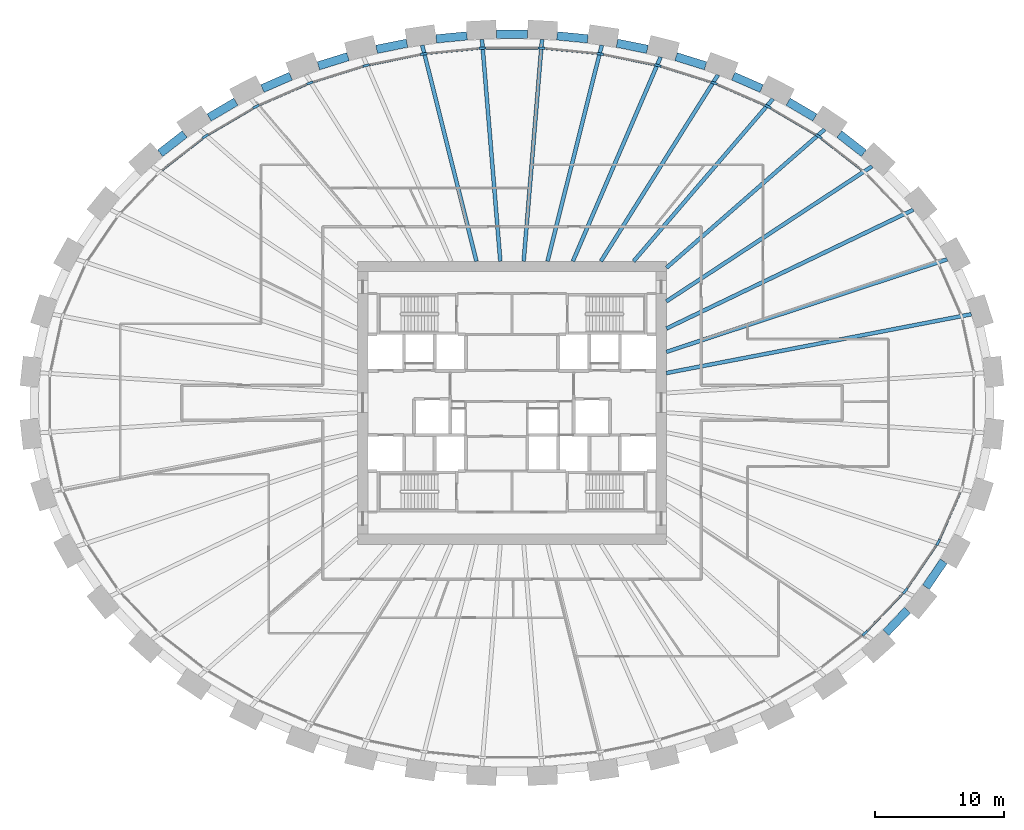
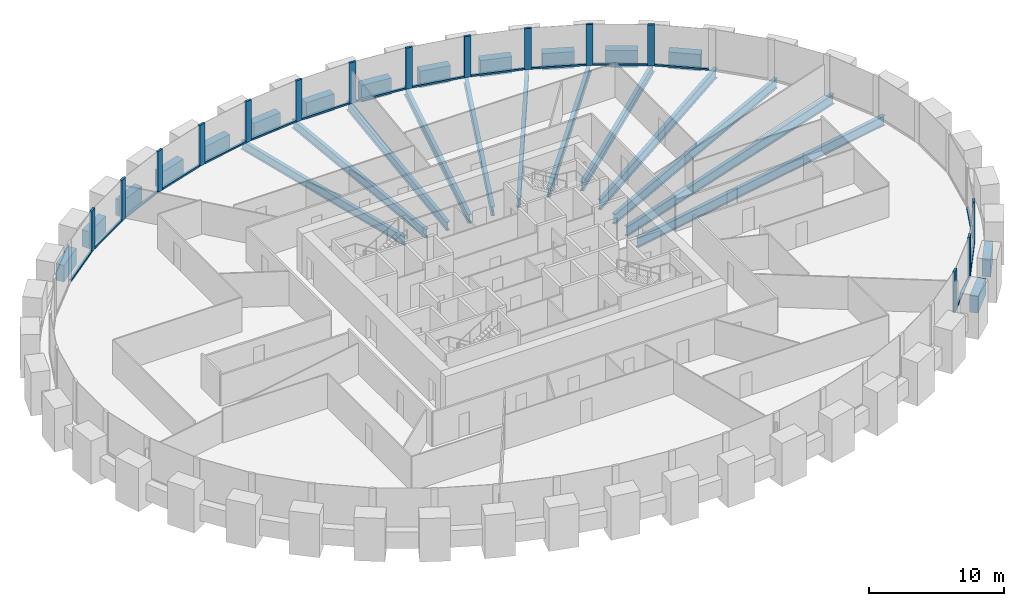
# One storey, part 3 of 10: 31 members, 27 beams, 1 element without a shape of its own.
"""IFC4 building model written with IfcOpenShell, lengths in metres."""

from ifc_helpers import new_model, si_unit, direction, frame, origin, origin_2d, place, context, subcontext, project, spatial, rectangle, i_section, extrude, source, transform, mapped, material, material_profile, profile_set, type_object, element, aggregate, save


model = new_model("IFC4")

# Units and contexts
model_context = context("Model", 3, precision=1e-05, world=origin(), true_north=direction((0.0, 1.0)))
body_context = subcontext(model_context, "Body", "Model", "MODEL_VIEW")
ifc_project = project(units=[si_unit("LENGTHUNIT", "METRE"), si_unit("AREAUNIT", "SQUARE_METRE"), si_unit("VOLUMEUNIT", "CUBIC_METRE"), si_unit("PLANEANGLEUNIT", "RADIAN"), si_unit("MASSUNIT", "GRAM", prefix="KILO")], contexts=[model_context])

# Site, building, storey
site_placement = place(None, origin())
site = spatial("IfcSite", under=ifc_project, at=site_placement, CompositionType="ELEMENT")
building_placement = place(site_placement, origin())
building = spatial("IfcBuilding", under=site, at=building_placement, Name="Embergate Tower", CompositionType="ELEMENT")
storey_placement = place(building_placement, frame((0.0, 0.0, 171.60009765625)))
storey = spatial("IfcBuildingStorey", under=building, at=storey_placement, Name="L38", CompositionType="ELEMENT", Elevation=171.60009765625)

# Beams
ifc_material_1 = material(Name="Concrete C70", Category="concrete")
ifc_material_profile_1 = material_profile(ifc_material_1, rectangle(XDim=0.64990234375, YDim=1.5, at=origin_2d()), Name="RC 650x1500")
ifc_profile_set_1 = profile_set([ifc_material_profile_1], Name="Concrete C70")
beam_type_1 = type_object("IfcBeamType", Name="Spandrel beam RC 650x1500 C70", PredefinedType="BEAM", material=ifc_profile_set_1)
shared_shape_1 = source(origin(), body_context, "Body", "SweptSolid", [
    extrude(rectangle(XDim=0.64990234375, YDim=1.5, at=origin_2d()), origin(), (0.0, 0.0, 1.0), 2.42724609375),
])
beam_1_placement = place(storey_placement, frame((32.175048828125, -14.322021484375, 0.0), z_axis=(0.562359541569, 0.826892826191, 0.0), x_axis=(-0.826892826191, 0.562359541569, 0.0)))
element("IfcBeam", 1, at=beam_1_placement, inside=storey, type_object=beam_type_1, Name="SPN-L38-40", PredefinedType="BEAM", context=body_context, shape_type="MappedRepresentation", body=[
    mapped(shared_shape_1, transform((0.0, 0.0, 0.0))),
])
shared_shape_2 = source(origin(), body_context, "Body", "SweptSolid", [
    extrude(rectangle(XDim=0.64990234375, YDim=1.5, at=origin_2d()), origin(), (0.0, 0.0, 1.0), 2.421630859375),
])
beam_2_placement = place(storey_placement, frame((29.05908203125, -17.864013671875, 0.0), z_axis=(0.68996725843, 0.723840577955, 0.0), x_axis=(-0.723840577955, 0.68996725843, 0.0)))
element("IfcBeam", 2, at=beam_2_placement, inside=storey, type_object=beam_type_1, Name="SPN-L38-39", PredefinedType="BEAM", context=body_context, shape_type="MappedRepresentation", body=[
    mapped(shared_shape_2, transform((0.0, 0.0, 0.0))),
])
shared_shape_3 = source(origin(), body_context, "Body", "SweptSolid", [
    extrude(rectangle(XDim=0.64990234375, YDim=1.5, at=origin_2d()), origin(), (0.0, 0.0, 1.0), 2.415283203125),
])
for number, where, z_axis, x_axis, name in (
    (3, (27.341064453125, 19.39306640625, 0.0), (-0.788366005977, 0.61520650242, 0.0), (-0.61520650242, -0.788366005977, 0.0), "SPN-L38-04"),
    (4, (-25.43701171875, 20.87890625, 0.0), (-0.788366005977, -0.61520650242, 0.0), (0.61520650242, -0.788366005977, 0.0), "SPN-L38-16"),
):
    element("IfcBeam", number, at=place(storey_placement, frame(where, z_axis=z_axis, x_axis=x_axis)), inside=storey, type_object=beam_type_1, Name=name, PredefinedType="BEAM", context=body_context, shape_type="MappedRepresentation", body=[
        mapped(shared_shape_3, transform((0.0, 0.0, 0.0))),
    ])
shared_shape_4 = source(origin(), body_context, "Body", "SweptSolid", [
    extrude(rectangle(XDim=0.64990234375, YDim=1.5, at=origin_2d()), origin(), (0.0, 0.0, 1.0), 2.41015625),
])
for number, where, z_axis, x_axis, name in (
    (5, (23.534912109375, 22.172119140625, 0.0), (-0.862176302717, 0.506608352707, 0.0), (-0.506608352707, -0.862176302717, 0.0), "SPN-L38-05"),
    (6, (-21.45703125, 23.39306640625, 0.0), (-0.862176302717, -0.506608352707, 0.0), (0.506608352707, -0.862176302717, 0.0), "SPN-L38-15"),
):
    element("IfcBeam", number, at=place(storey_placement, frame(where, z_axis=z_axis, x_axis=x_axis)), inside=storey, type_object=beam_type_1, Name=name, PredefinedType="BEAM", context=body_context, shape_type="MappedRepresentation", body=[
        mapped(shared_shape_4, transform((0.0, 0.0, 0.0))),
    ])
shared_shape_5 = source(origin(), body_context, "Body", "SweptSolid", [
    extrude(rectangle(XDim=0.64990234375, YDim=1.5, at=origin_2d()), origin(), (0.0, 0.0, 1.0), 2.405029296875),
])
for number, where, z_axis, x_axis, name in (
    (7, (19.39892578125, 24.4208984375, 0.0), (-0.916318010886, 0.400451373983, 0.0), (-0.400451373983, -0.916318010886, 0.0), "SPN-L38-06"),
    (8, (-17.195068359375, 25.384033203125, 0.0), (-0.916318010886, -0.400451373983, 0.0), (0.400451373983, -0.916318010886, 0.0), "SPN-L38-14"),
):
    element("IfcBeam", number, at=place(storey_placement, frame(where, z_axis=z_axis, x_axis=x_axis)), inside=storey, type_object=beam_type_1, Name=name, PredefinedType="BEAM", context=body_context, shape_type="MappedRepresentation", body=[
        mapped(shared_shape_5, transform((0.0, 0.0, 0.0))),
    ])
shared_shape_6 = source(origin(), body_context, "Body", "SweptSolid", [
    extrude(rectangle(XDim=0.64990234375, YDim=1.5, at=origin_2d()), origin(), (0.0, 0.0, 1.0), 2.40283203125),
])
for number, where, z_axis, x_axis, name in (
    (9, (15.0400390625, 26.18798828125, 0.0), (-0.954689462561, 0.297603813946, 0.0), (-0.297603813946, -0.954689462561, 0.0), "SPN-L38-07"),
    (10, (-12.74609375, 26.903076171875, 0.0), (-0.954689462561, -0.297603813946, 0.0), (0.297603813946, -0.954689462561, 0.0), "SPN-L38-13"),
):
    element("IfcBeam", number, at=place(storey_placement, frame(where, z_axis=z_axis, x_axis=x_axis)), inside=storey, type_object=beam_type_1, Name=name, PredefinedType="BEAM", context=body_context, shape_type="MappedRepresentation", body=[
        mapped(shared_shape_6, transform((0.0, 0.0, 0.0))),
    ])
shared_shape_7 = source(origin(), body_context, "Body", "SweptSolid", [
    extrude(rectangle(XDim=0.64990234375, YDim=1.5, at=origin_2d()), origin(), (0.0, 0.0, 1.0), 2.402099609375),
])
for number, where, z_axis, x_axis, name in (
    (11, (10.51708984375, 27.471923828125, 0.0), (-0.980408294351, 0.196976080702, 0.0), (-0.196976080702, -0.980408294351, 0.0), "SPN-L38-08"),
    (12, (-8.162109375, 27.945068359375, 0.0), (-0.980408294351, -0.196976080702, 0.0), (0.196976080702, -0.980408294351, 0.0), "SPN-L38-12"),
):
    element("IfcBeam", number, at=place(storey_placement, frame(where, z_axis=z_axis, x_axis=x_axis)), inside=storey, type_object=beam_type_1, Name=name, PredefinedType="BEAM", context=body_context, shape_type="MappedRepresentation", body=[
        mapped(shared_shape_7, transform((0.0, 0.0, 0.0))),
    ])
shared_shape_8 = source(origin(), body_context, "Body", "SweptSolid", [
    extrude(rectangle(XDim=0.64990234375, YDim=1.5, at=origin_2d()), origin(), (0.0, 0.0, 1.0), 2.4013671875),
])
for number, where, z_axis, x_axis, name in (
    (13, (5.886962890625, 28.283935546875, 0.0), (-0.995235491499, 0.097500340826, 0.0), (-0.097500340826, -0.995235491499, 0.0), "SPN-L38-09"),
    (14, (-3.4970703125, 28.51806640625, 0.0), (-0.995235491499, -0.097500340826, 0.0), (0.097500340826, -0.995235491499, 0.0), "SPN-L38-11"),
):
    element("IfcBeam", number, at=place(storey_placement, frame(where, z_axis=z_axis, x_axis=x_axis)), inside=storey, type_object=beam_type_1, Name=name, PredefinedType="BEAM", context=body_context, shape_type="MappedRepresentation", body=[
        mapped(shared_shape_8, transform((0.0, 0.0, 0.0))),
    ])
shared_shape_9 = source(origin(), body_context, "Body", "SweptSolid", [
    extrude(rectangle(XDim=0.64990234375, YDim=1.5, at=origin_2d()), origin(), (0.0, 0.0, 1.0), 2.39990234375),
])
beam_3_placement = place(storey_placement, frame((1.199951171875, 28.631103515625, 0.0), z_axis=(-1.0, 0.0, 0.0), x_axis=(0.0, -1.0, 0.0)))
element("IfcBeam", 15, at=beam_3_placement, inside=storey, type_object=beam_type_1, Name="SPN-L38-10", PredefinedType="BEAM", context=body_context, shape_type="MappedRepresentation", body=[
    mapped(shared_shape_9, transform((0.0, 0.0, 0.0))),
])
ifc_material_2 = material(Name="Steel Q355B", Category="steel")
ifc_material_profile_2 = material_profile(ifc_material_2, i_section(OverallWidth=0.300048828125, OverallDepth=0.89990234375, WebThickness=0.01611328125, FlangeThickness=0.028076171875, FilletRadius=0.028076171875, at=origin_2d()), Name="HN 900x300x16x28")
ifc_profile_set_2 = profile_set([ifc_material_profile_2], Name="Steel Q355 grade B")
beam_type_2 = type_object("IfcBeamType", Name="Radial girder HN 900x300x16x28", PredefinedType="BEAM", material=ifc_profile_set_2)
shared_shape_10 = source(origin(), body_context, "Body", "SweptSolid", [
    extrude(i_section(OverallWidth=0.300048828125, OverallDepth=0.89990234375, WebThickness=0.01611328125, FlangeThickness=0.028076171875, FilletRadius=0.028076171875, at=origin_2d()), origin(), (0.0, 0.0, 1.0), 24.12548828125),
])
beam_4_placement = place(storey_placement, frame((35.68896484375, 6.884033203125, -0.650146484375), z_axis=(-0.981902359672, -0.189387845628, 0.0), x_axis=(0.189387845628, -0.981902359672, 0.0)))
element("IfcBeam", 16, at=beam_4_placement, inside=storey, type_object=beam_type_2, Name="GIR-L38-01", PredefinedType="BEAM", context=body_context, shape_type="MappedRepresentation", body=[
    mapped(shared_shape_10, transform((0.0, 0.0, 0.0))),
])
shared_shape_11 = source(origin(), body_context, "Body", "SweptSolid", [
    extrude(i_section(OverallWidth=0.300048828125, OverallDepth=0.89990234375, WebThickness=0.01611328125, FlangeThickness=0.028076171875, FilletRadius=0.028076171875, at=origin_2d()), origin(), (0.0, 0.0, 1.0), 22.97265625),
])
beam_5_placement = place(storey_placement, frame((33.81689453125, 11.152099609375, -0.650146484375), z_axis=(-0.949687014879, -0.313200532838, 0.0), x_axis=(0.313200532838, -0.949687014879, 0.0)))
element("IfcBeam", 17, at=beam_5_placement, inside=storey, type_object=beam_type_2, Name="GIR-L38-02", PredefinedType="BEAM", context=body_context, shape_type="MappedRepresentation", body=[
    mapped(shared_shape_11, transform((0.0, 0.0, 0.0))),
])
shared_shape_12 = source(origin(), body_context, "Body", "SweptSolid", [
    extrude(i_section(OverallWidth=0.300048828125, OverallDepth=0.89990234375, WebThickness=0.01611328125, FlangeThickness=0.028076171875, FilletRadius=0.028076171875, at=origin_2d()), origin(), (0.0, 0.0, 1.0), 21.301025390625),
])
beam_6_placement = place(storey_placement, frame((31.195068359375, 15.008056640625, -0.650146484375), z_axis=(-0.901129390798, -0.433550252035, 0.0), x_axis=(0.433550252035, -0.901129390798, 0.0)))
element("IfcBeam", 18, at=beam_6_placement, inside=storey, type_object=beam_type_2, Name="GIR-L38-03", PredefinedType="BEAM", context=body_context, shape_type="MappedRepresentation", body=[
    mapped(shared_shape_12, transform((0.0, 0.0, 0.0))),
])
shared_shape_13 = source(origin(), body_context, "Body", "SweptSolid", [
    extrude(i_section(OverallWidth=0.300048828125, OverallDepth=0.89990234375, WebThickness=0.01611328125, FlangeThickness=0.028076171875, FilletRadius=0.028076171875, at=origin_2d()), origin(), (0.0, 0.0, 1.0), 19.1181640625),
])
beam_7_placement = place(storey_placement, frame((27.97802734375, 18.382080078125, -0.650146484375), z_axis=(-0.835748679781, -0.549112141775, 0.0), x_axis=(0.549112141775, -0.835748679781, 0.0)))
element("IfcBeam", 19, at=beam_7_placement, inside=storey, type_object=beam_type_2, Name="GIR-L38-04", PredefinedType="BEAM", context=body_context, shape_type="MappedRepresentation", body=[
    mapped(shared_shape_13, transform((0.0, 0.0, 0.0))),
])
ifc_material_profile_3 = material_profile(ifc_material_2, i_section(OverallWidth=0.300048828125, OverallDepth=0.800048828125, WebThickness=0.013916015625, FlangeThickness=0.02587890625, FilletRadius=0.028076171875, at=origin_2d()), Name="HN 800x300x14x26")
ifc_profile_set_3 = profile_set([ifc_material_profile_3], Name="Steel Q355 grade B")
beam_type_3 = type_object("IfcBeamType", Name="Radial girder HN 800x300x14x26", PredefinedType="BEAM", material=ifc_profile_set_3)
shared_shape_14 = source(origin(), body_context, "Body", "SweptSolid", [
    extrude(i_section(OverallWidth=0.300048828125, OverallDepth=0.800048828125, WebThickness=0.013916015625, FlangeThickness=0.02587890625, FilletRadius=0.028076171875, at=origin_2d()), origin(), (0.0, 0.0, 1.0), 16.341796875),
])
beam_8_placement = place(storey_placement, frame((24.301025390625, 21.251953125, -0.60009765625), z_axis=(-0.752738629267, -0.65831949387, 0.0), x_axis=(0.65831949387, -0.752738629267, 0.0)))
element("IfcBeam", 20, at=beam_8_placement, inside=storey, type_object=beam_type_3, Name="GIR-L38-05", PredefinedType="BEAM", context=body_context, shape_type="MappedRepresentation", body=[
    mapped(shared_shape_14, transform((0.0, 0.0, 0.0))),
])
shared_shape_15 = source(origin(), body_context, "Body", "SweptSolid", [
    extrude(i_section(OverallWidth=0.300048828125, OverallDepth=0.800048828125, WebThickness=0.013916015625, FlangeThickness=0.02587890625, FilletRadius=0.028076171875, at=origin_2d()), origin(), (0.0, 0.0, 1.0), 16.62939453125),
])
beam_9_placement = place(storey_placement, frame((20.280029296875, 23.615966796875, -0.60009765625), z_axis=(-0.651494757219, -0.758653136364, 0.0), x_axis=(0.758653136364, -0.651494757219, 0.0)))
element("IfcBeam", 21, at=beam_9_placement, inside=storey, type_object=beam_type_3, Name="GIR-L38-06", PredefinedType="BEAM", context=body_context, shape_type="MappedRepresentation", body=[
    mapped(shared_shape_15, transform((0.0, 0.0, 0.0))),
])
shared_shape_16 = source(origin(), body_context, "Body", "SweptSolid", [
    extrude(i_section(OverallWidth=0.300048828125, OverallDepth=0.800048828125, WebThickness=0.013916015625, FlangeThickness=0.02587890625, FilletRadius=0.028076171875, at=origin_2d()), origin(), (0.0, 0.0, 1.0), 17.103271484375),
])
beam_10_placement = place(storey_placement, frame((16.0048828125, 25.48388671875, -0.60009765625), z_axis=(-0.531827416629, -0.846852761064, 0.0), x_axis=(0.846852761064, -0.531827416629, 0.0)))
element("IfcBeam", 22, at=beam_10_placement, inside=storey, type_object=beam_type_3, Name="GIR-L38-07", PredefinedType="BEAM", context=body_context, shape_type="MappedRepresentation", body=[
    mapped(shared_shape_16, transform((0.0, 0.0, 0.0))),
])
shared_shape_17 = source(origin(), body_context, "Body", "SweptSolid", [
    extrude(i_section(OverallWidth=0.300048828125, OverallDepth=0.800048828125, WebThickness=0.013916015625, FlangeThickness=0.02587890625, FilletRadius=0.028076171875, at=origin_2d()), origin(), (0.0, 0.0, 1.0), 17.2763671875),
])
beam_11_placement = place(storey_placement, frame((11.551025390625, 26.8720703125, -0.60009765625), z_axis=(-0.394930430289, -0.918711029232, 0.0), x_axis=(0.918711029232, -0.394930430289, 0.0)))
element("IfcBeam", 23, at=beam_11_placement, inside=storey, type_object=beam_type_3, Name="GIR-L38-08", PredefinedType="BEAM", context=body_context, shape_type="MappedRepresentation", body=[
    mapped(shared_shape_17, transform((0.0, 0.0, 0.0))),
])
shared_shape_18 = source(origin(), body_context, "Body", "SweptSolid", [
    extrude(i_section(OverallWidth=0.300048828125, OverallDepth=0.800048828125, WebThickness=0.013916015625, FlangeThickness=0.02587890625, FilletRadius=0.028076171875, at=origin_2d()), origin(), (0.0, 0.0, 1.0), 17.31103515625),
])
for number, where, z_axis, x_axis, name in (
    (24, (6.97607421875, 27.7900390625, -0.60009765625), (-0.243491204419, -0.969903105145, 0.0), (0.969903105145, -0.243491204419, 0.0), "GIR-L38-09"),
    (25, (-6.97607421875, 27.7900390625, -0.60009765625), (0.243491204419, -0.969903105145, 0.0), (0.969903105145, 0.243491204419, 0.0), "GIR-L38-12"),
):
    element("IfcBeam", number, at=place(storey_placement, frame(where, z_axis=z_axis, x_axis=x_axis)), inside=storey, type_object=beam_type_3, Name=name, PredefinedType="BEAM", context=body_context, shape_type="MappedRepresentation", body=[
        mapped(shared_shape_18, transform((0.0, 0.0, 0.0))),
    ])
shared_shape_19 = source(origin(), body_context, "Body", "SweptSolid", [
    extrude(i_section(OverallWidth=0.300048828125, OverallDepth=0.800048828125, WebThickness=0.013916015625, FlangeThickness=0.02587890625, FilletRadius=0.028076171875, at=origin_2d()), origin(), (0.0, 0.0, 1.0), 17.304931640625),
])
for number, where, z_axis, x_axis, name in (
    (26, (2.3330078125, 28.24609375, -0.60009765625), (-0.082349584625, -0.996603504866, 0.0), (0.996603504866, -0.082349584625, 0.0), "GIR-L38-10"),
    (27, (-2.3330078125, 28.24609375, -0.60009765625), (0.082349584625, -0.996603504866, 0.0), (0.996603504866, 0.082349584625, 0.0), "GIR-L38-11"),
):
    element("IfcBeam", number, at=place(storey_placement, frame(where, z_axis=z_axis, x_axis=x_axis)), inside=storey, type_object=beam_type_3, Name=name, PredefinedType="BEAM", context=body_context, shape_type="MappedRepresentation", body=[
        mapped(shared_shape_19, transform((0.0, 0.0, 0.0))),
    ])

# Curtain wall, members
ifc_material_3 = material(Name="Aluminium and glass", Category="aluminium")
curtain_wall_type = type_object("IfcCurtainWallType", Name="Recessed office glazing", PredefinedType="NOTDEFINED", material=ifc_material_3)
curtain_wall_placement = place(storey_placement, origin())
curtain_wall = element("IfcCurtainWall", 28, at=curtain_wall_placement, inside=storey, type_object=curtain_wall_type, Name="Recessed office glazing ring", ObjectType="RECESSED OFFICE GLAZING", PredefinedType="USERDEFINED")
ifc_material_4 = material(Name="Aluminium, thermally broken", Category="aluminium")
ifc_material_profile_4 = material_profile(ifc_material_4, rectangle(XDim=0.179931640625, YDim=0.52001953125, at=origin_2d()), Name="AL 520x180")
ifc_profile_set_4 = profile_set([ifc_material_profile_4], Name="Aluminium, thermally broken")
member_type_1 = type_object("IfcMemberType", Name="Office mullion", PredefinedType="MULLION", material=ifc_profile_set_4)
shared_shape_20 = source(origin(), body_context, "Body", "SweptSolid", [
    extrude(rectangle(XDim=0.179931640625, YDim=0.52001953125, at=origin_2d()), origin(), (0.0, 0.0, 1.0), 3.699951171875),
])
member_1_placement = place(storey_placement, frame((23.82958984375, 20.70703125, 0.0), z_axis=(0.0, 0.0, 1.0), x_axis=(-0.562210401679, -0.82699423471, 0.0)))
member_1 = element("IfcMember", 29, at=member_1_placement, type_object=member_type_1, Name="CW mullion 6", PredefinedType="MULLION", context=body_context, shape_type="MappedRepresentation", body=[
    mapped(shared_shape_20, transform((0.0, 0.0, 0.0))),
])
member_2_placement = place(storey_placement, frame((19.89208984375, 23.02197265625, 0.0), z_axis=(0.0, 0.0, 1.0), x_axis=(-0.45450516197, -0.8907441034, 0.0)))
member_2 = element("IfcMember", 30, at=member_2_placement, type_object=member_type_1, Name="CW mullion 7", PredefinedType="MULLION", context=body_context, shape_type="MappedRepresentation", body=[
    mapped(shared_shape_20, transform((0.0, 0.0, 0.0))),
])
member_3_placement = place(storey_placement, frame((15.702880859375, 24.853759765625, 0.0), z_axis=(0.0, 0.0, 1.0), x_axis=(-0.349497777064, -0.936937193107, 0.0)))
member_3 = element("IfcMember", 31, at=member_3_placement, type_object=member_type_1, Name="CW mullion 8", PredefinedType="MULLION", context=body_context, shape_type="MappedRepresentation", body=[
    mapped(shared_shape_20, transform((0.0, 0.0, 0.0))),
])
member_4_placement = place(storey_placement, frame((11.334716796875, 26.214111328125, 0.0), z_axis=(0.0, 0.0, 1.0), x_axis=(-0.247308499144, -0.96893679167, 0.0)))
member_4 = element("IfcMember", 32, at=member_4_placement, type_object=member_type_1, Name="CW mullion 9", PredefinedType="MULLION", context=body_context, shape_type="MappedRepresentation", body=[
    mapped(shared_shape_20, transform((0.0, 0.0, 0.0))),
])
member_5_placement = place(storey_placement, frame((6.846435546875, 27.1142578125, 0.0), z_axis=(0.0, 0.0, 1.0), x_axis=(-0.147408930294, -0.989075632735, 0.0)))
member_5 = element("IfcMember", 33, at=member_5_placement, type_object=member_type_1, Name="CW mullion 10", PredefinedType="MULLION", context=body_context, shape_type="MappedRepresentation", body=[
    mapped(shared_shape_20, transform((0.0, 0.0, 0.0))),
])
member_6_placement = place(storey_placement, frame((2.28955078125, 27.56201171875, 0.0), z_axis=(0.0, 0.0, 1.0), x_axis=(-0.048970053385, -0.998800247232, 0.0)))
member_6 = element("IfcMember", 34, at=member_6_placement, type_object=member_type_1, Name="CW mullion 11", PredefinedType="MULLION", context=body_context, shape_type="MappedRepresentation", body=[
    mapped(shared_shape_20, transform((0.0, 0.0, 0.0))),
])
member_7_placement = place(storey_placement, frame((-2.28955078125, 27.56201171875, 0.0), z_axis=(0.0, 0.0, 1.0), x_axis=(0.048970053385, -0.998800247232, 0.0)))
member_7 = element("IfcMember", 35, at=member_7_placement, type_object=member_type_1, Name="CW mullion 12", PredefinedType="MULLION", context=body_context, shape_type="MappedRepresentation", body=[
    mapped(shared_shape_20, transform((0.0, 0.0, 0.0))),
])
member_8_placement = place(storey_placement, frame((-6.846435546875, 27.1142578125, 0.0), z_axis=(0.0, 0.0, 1.0), x_axis=(0.147408930294, -0.989075632735, 0.0)))
member_8 = element("IfcMember", 36, at=member_8_placement, type_object=member_type_1, Name="CW mullion 13", PredefinedType="MULLION", context=body_context, shape_type="MappedRepresentation", body=[
    mapped(shared_shape_20, transform((0.0, 0.0, 0.0))),
])
member_9_placement = place(storey_placement, frame((-11.334716796875, 26.214111328125, 0.0), z_axis=(0.0, 0.0, 1.0), x_axis=(0.247308499144, -0.96893679167, 0.0)))
member_9 = element("IfcMember", 37, at=member_9_placement, type_object=member_type_1, Name="CW mullion 14", PredefinedType="MULLION", context=body_context, shape_type="MappedRepresentation", body=[
    mapped(shared_shape_20, transform((0.0, 0.0, 0.0))),
])
member_10_placement = place(storey_placement, frame((-15.702880859375, 24.853759765625, 0.0), z_axis=(0.0, 0.0, 1.0), x_axis=(0.349497777064, -0.936937193107, 0.0)))
member_10 = element("IfcMember", 38, at=member_10_placement, type_object=member_type_1, Name="CW mullion 15", PredefinedType="MULLION", context=body_context, shape_type="MappedRepresentation", body=[
    mapped(shared_shape_20, transform((0.0, 0.0, 0.0))),
])
member_11_placement = place(storey_placement, frame((-19.89208984375, 23.02197265625, 0.0), z_axis=(0.0, 0.0, 1.0), x_axis=(0.45450516197, -0.8907441034, 0.0)))
member_11 = element("IfcMember", 39, at=member_11_placement, type_object=member_type_1, Name="CW mullion 16", PredefinedType="MULLION", context=body_context, shape_type="MappedRepresentation", body=[
    mapped(shared_shape_20, transform((0.0, 0.0, 0.0))),
])
member_12_placement = place(storey_placement, frame((-23.82958984375, 20.70703125, 0.0), z_axis=(0.0, 0.0, 1.0), x_axis=(0.562210401679, -0.82699423471, 0.0)))
member_12 = element("IfcMember", 40, at=member_12_placement, type_object=member_type_1, Name="CW mullion 17", PredefinedType="MULLION", context=body_context, shape_type="MappedRepresentation", body=[
    mapped(shared_shape_20, transform((0.0, 0.0, 0.0))),
])
member_13_placement = place(storey_placement, frame((27.425537109375, -17.900634765625, 0.0), z_axis=(0.0, 0.0, 1.0), x_axis=(-0.671221359023, 0.741256964346, 0.0)))
member_13 = element("IfcMember", 41, at=member_13_placement, type_object=member_type_1, Name="CW mullion 40", PredefinedType="MULLION", context=body_context, shape_type="MappedRepresentation", body=[
    mapped(shared_shape_20, transform((0.0, 0.0, 0.0))),
])
member_14_placement = place(storey_placement, frame((30.568359375, -14.60498046875, 0.0), z_axis=(0.0, 0.0, 1.0), x_axis=(-0.777867080309, 0.62842883875, 0.0)))
member_14 = element("IfcMember", 42, at=member_14_placement, type_object=member_type_1, Name="CW mullion 41", PredefinedType="MULLION", context=body_context, shape_type="MappedRepresentation", body=[
    mapped(shared_shape_20, transform((0.0, 0.0, 0.0))),
])
member_15_placement = place(storey_placement, frame((33.12451171875, -10.84619140625, 0.0), z_axis=(0.0, 0.0, 1.0), x_axis=(-0.874998516019, 0.484125600402, 0.0)))
member_15 = element("IfcMember", 43, at=member_15_placement, type_object=member_type_1, Name="CW mullion 42", PredefinedType="MULLION", context=body_context, shape_type="MappedRepresentation", body=[
    mapped(shared_shape_20, transform((0.0, 0.0, 0.0))),
])
ifc_material_profile_5 = material_profile(ifc_material_4, rectangle(XDim=0.179931640625, YDim=0.14990234375, at=origin_2d()), Name="AL 150x180")
ifc_profile_set_5 = profile_set([ifc_material_profile_5], Name="Aluminium, thermally broken")
member_type_2 = type_object("IfcMemberType", Name="Office sill transom", PredefinedType="USERDEFINED", material=ifc_profile_set_5)
shared_shape_21 = source(origin(), body_context, "Body", "SweptSolid", [
    extrude(rectangle(XDim=0.179931640625, YDim=0.14990234375, at=origin_2d()), origin(), (0.0, 0.0, 1.0), 4.0166015625),
])
member_16_placement = place(storey_placement, frame((33.22900390625, -10.608154296875, 0.074951171875), z_axis=(0.401644503167, 0.915795661202, 0.0), x_axis=(-0.915795661202, 0.401644503167, 0.0)))
member_16 = element("IfcMember", 44, at=member_16_placement, type_object=member_type_2, Name="CW transom 42.1", ObjectType="TRANSOM", PredefinedType="USERDEFINED", context=body_context, shape_type="MappedRepresentation", body=[
    mapped(shared_shape_21, transform((0.0, 0.0, 0.0))),
])
shared_shape_22 = source(origin(), body_context, "Body", "SweptSolid", [
    extrude(rectangle(XDim=0.179931640625, YDim=0.14990234375, at=origin_2d()), origin(), (0.0, 0.0, 1.0), 4.025390625),
])
member_17_placement = place(storey_placement, frame((30.714599609375, -14.389892578125, 0.074951171875), z_axis=(0.562346517012, 0.826901683881, 0.0), x_axis=(-0.826901683881, 0.562346517012, 0.0)))
member_17 = element("IfcMember", 45, at=member_17_placement, type_object=member_type_2, Name="CW transom 41.1", ObjectType="TRANSOM", PredefinedType="USERDEFINED", context=body_context, shape_type="MappedRepresentation", body=[
    mapped(shared_shape_22, transform((0.0, 0.0, 0.0))),
])
shared_shape_23 = source(origin(), body_context, "Body", "SweptSolid", [
    extrude(rectangle(XDim=0.179931640625, YDim=0.14990234375, at=origin_2d()), origin(), (0.0, 0.0, 1.0), 4.033935546875),
])
member_18_placement = place(storey_placement, frame((27.60498046875, -17.71240234375, 0.074951171875), z_axis=(0.690112930661, 0.723701694716, 0.0), x_axis=(-0.723701694716, 0.690112930661, 0.0)))
member_18 = element("IfcMember", 46, at=member_18_placement, type_object=member_type_2, Name="CW transom 40.1", ObjectType="TRANSOM", PredefinedType="USERDEFINED", context=body_context, shape_type="MappedRepresentation", body=[
    mapped(shared_shape_23, transform((0.0, 0.0, 0.0))),
])
shared_shape_24 = source(origin(), body_context, "Body", "SweptSolid", [
    extrude(rectangle(XDim=0.179931640625, YDim=0.14990234375, at=origin_2d()), origin(), (0.0, 0.0, 1.0), 4.04150390625),
])
member_19_placement = place(storey_placement, frame((27.220458984375, 18.060546875, 0.074951171875), z_axis=(-0.788326502743, 0.615257121107, 0.0), x_axis=(-0.615257121107, -0.788326502743, 0.0)))
member_19 = element("IfcMember", 47, at=member_19_placement, type_object=member_type_2, Name="CW transom 5.1", ObjectType="TRANSOM", PredefinedType="USERDEFINED", context=body_context, shape_type="MappedRepresentation", body=[
    mapped(shared_shape_24, transform((0.0, 0.0, 0.0))),
])
member_20_placement = place(storey_placement, frame((-24.034423828125, 20.547119140625, 0.074951171875), z_axis=(-0.788326502743, -0.615257121107, 0.0), x_axis=(0.615257121107, -0.788326502743, 0.0)))
member_20 = element("IfcMember", 48, at=member_20_placement, type_object=member_type_2, Name="CW transom 17.1", ObjectType="TRANSOM", PredefinedType="USERDEFINED", context=body_context, shape_type="MappedRepresentation", body=[
    mapped(shared_shape_24, transform((0.0, 0.0, 0.0))),
])
shared_shape_25 = source(origin(), body_context, "Body", "SweptSolid", [
    extrude(rectangle(XDim=0.179931640625, YDim=0.14990234375, at=origin_2d()), origin(), (0.0, 0.0, 1.0), 4.047607421875),
])
member_21_placement = place(storey_placement, frame((23.60546875, 20.8388671875, 0.074951171875), z_axis=(-0.862067536609, 0.50679341188, 0.0), x_axis=(-0.50679341188, -0.862067536609, 0.0)))
member_21 = element("IfcMember", 49, at=member_21_placement, type_object=member_type_2, Name="CW transom 6.1", ObjectType="TRANSOM", PredefinedType="USERDEFINED", context=body_context, shape_type="MappedRepresentation", body=[
    mapped(shared_shape_25, transform((0.0, 0.0, 0.0))),
])
member_22_placement = place(storey_placement, frame((-20.1162109375, 22.89013671875, 0.074951171875), z_axis=(-0.862067536609, -0.50679341188, 0.0), x_axis=(0.50679341188, -0.862067536609, 0.0)))
member_22 = element("IfcMember", 50, at=member_22_placement, type_object=member_type_2, Name="CW transom 16.1", ObjectType="TRANSOM", PredefinedType="USERDEFINED", context=body_context, shape_type="MappedRepresentation", body=[
    mapped(shared_shape_25, transform((0.0, 0.0, 0.0))),
])
shared_shape_26 = source(origin(), body_context, "Body", "SweptSolid", [
    extrude(rectangle(XDim=0.179931640625, YDim=0.14990234375, at=origin_2d()), origin(), (0.0, 0.0, 1.0), 4.052001953125),
])
member_23_placement = place(storey_placement, frame((19.65380859375, 23.126220703125, 0.074951171875), z_axis=(-0.91624719551, 0.400613375613, 0.0), x_axis=(-0.400613375613, -0.91624719551, 0.0)))
member_23 = element("IfcMember", 51, at=member_23_placement, type_object=member_type_2, Name="CW transom 7.1", ObjectType="TRANSOM", PredefinedType="USERDEFINED", context=body_context, shape_type="MappedRepresentation", body=[
    mapped(shared_shape_26, transform((0.0, 0.0, 0.0))),
])
member_24_placement = place(storey_placement, frame((-15.941162109375, 24.74951171875, 0.074951171875), z_axis=(-0.91624719551, -0.400613375613, 0.0), x_axis=(0.400613375613, -0.91624719551, 0.0)))
member_24 = element("IfcMember", 52, at=member_24_placement, type_object=member_type_2, Name="CW transom 15.1", ObjectType="TRANSOM", PredefinedType="USERDEFINED", context=body_context, shape_type="MappedRepresentation", body=[
    mapped(shared_shape_26, transform((0.0, 0.0, 0.0))),
])
shared_shape_27 = source(origin(), body_context, "Body", "SweptSolid", [
    extrude(rectangle(XDim=0.179931640625, YDim=0.14990234375, at=origin_2d()), origin(), (0.0, 0.0, 1.0), 4.055419921875),
])
member_25_placement = place(storey_placement, frame((15.454833984375, 24.930908203125, 0.074951171875), z_axis=(-0.954775154278, 0.297328782281, 0.0), x_axis=(-0.297328782281, -0.954775154278, 0.0)))
member_25 = element("IfcMember", 53, at=member_25_placement, type_object=member_type_2, Name="CW transom 8.1", ObjectType="TRANSOM", PredefinedType="USERDEFINED", context=body_context, shape_type="MappedRepresentation", body=[
    mapped(shared_shape_27, transform((0.0, 0.0, 0.0))),
])
member_26_placement = place(storey_placement, frame((-11.582763671875, 26.13671875, 0.074951171875), z_axis=(-0.954775154278, -0.297328782281, 0.0), x_axis=(0.297328782281, -0.954775154278, 0.0)))
member_26 = element("IfcMember", 54, at=member_26_placement, type_object=member_type_2, Name="CW transom 14.1", ObjectType="TRANSOM", PredefinedType="USERDEFINED", context=body_context, shape_type="MappedRepresentation", body=[
    mapped(shared_shape_27, transform((0.0, 0.0, 0.0))),
])
shared_shape_28 = source(origin(), body_context, "Body", "SweptSolid", [
    extrude(rectangle(XDim=0.179931640625, YDim=0.14990234375, at=origin_2d()), origin(), (0.0, 0.0, 1.0), 4.057373046875),
])
member_27_placement = place(storey_placement, frame((11.07958984375, 26.26513671875, 0.074951171875), z_axis=(-0.980476396391, 0.196636812728, 0.0), x_axis=(-0.196636812728, -0.980476396391, 0.0)))
member_27 = element("IfcMember", 55, at=member_27_placement, type_object=member_type_2, Name="CW transom 9.1", ObjectType="TRANSOM", PredefinedType="USERDEFINED", context=body_context, shape_type="MappedRepresentation", body=[
    mapped(shared_shape_28, transform((0.0, 0.0, 0.0))),
])
member_28_placement = place(storey_placement, frame((-7.101318359375, 27.06298828125, 0.074951171875), z_axis=(-0.980476396391, -0.196636812728, 0.0), x_axis=(0.196636812728, -0.980476396391, 0.0)))
member_28 = element("IfcMember", 56, at=member_28_placement, type_object=member_type_2, Name="CW transom 13.1", ObjectType="TRANSOM", PredefinedType="USERDEFINED", context=body_context, shape_type="MappedRepresentation", body=[
    mapped(shared_shape_28, transform((0.0, 0.0, 0.0))),
])
shared_shape_29 = source(origin(), body_context, "Body", "SweptSolid", [
    extrude(rectangle(XDim=0.179931640625, YDim=0.14990234375, at=origin_2d()), origin(), (0.0, 0.0, 1.0), 4.058837890625),
])
member_29_placement = place(storey_placement, frame((6.587646484375, 27.1396484375, 0.074951171875), z_axis=(-0.995205476783, 0.097806231807, 0.0), x_axis=(-0.097806231807, -0.995205476783, 0.0)))
member_29 = element("IfcMember", 57, at=member_29_placement, type_object=member_type_2, Name="CW transom 10.1", ObjectType="TRANSOM", PredefinedType="USERDEFINED", context=body_context, shape_type="MappedRepresentation", body=[
    mapped(shared_shape_29, transform((0.0, 0.0, 0.0))),
])
member_30_placement = place(storey_placement, frame((-2.54833984375, 27.53662109375, 0.074951171875), z_axis=(-0.995205476783, -0.097806231807, 0.0), x_axis=(0.097806231807, -0.995205476783, 0.0)))
member_30 = element("IfcMember", 58, at=member_30_placement, type_object=member_type_2, Name="CW transom 12.1", ObjectType="TRANSOM", PredefinedType="USERDEFINED", context=body_context, shape_type="MappedRepresentation", body=[
    mapped(shared_shape_29, transform((0.0, 0.0, 0.0))),
])
shared_shape_30 = source(origin(), body_context, "Body", "SweptSolid", [
    extrude(rectangle(XDim=0.179931640625, YDim=0.14990234375, at=origin_2d()), origin(), (0.0, 0.0, 1.0), 4.05908203125),
])
member_31_placement = place(storey_placement, frame((2.029541015625, 27.56201171875, 0.074951171875), z_axis=(-1.0, 0.0, 0.0), x_axis=(0.0, -1.0, 0.0)))
member_31 = element("IfcMember", 59, at=member_31_placement, type_object=member_type_2, Name="CW transom 11.1", ObjectType="TRANSOM", PredefinedType="USERDEFINED", context=body_context, shape_type="MappedRepresentation", body=[
    mapped(shared_shape_30, transform((0.0, 0.0, 0.0))),
])
aggregate(curtain_wall, [member_1, member_2, member_3, member_4, member_5, member_6, member_7, member_8, member_9, member_10, member_11, member_12, member_13, member_14, member_15, member_19, member_21, member_23, member_25, member_27, member_29, member_31, member_30, member_28, member_26, member_24, member_22, member_20, member_18, member_17, member_16])

save(model, "model.ifc")
